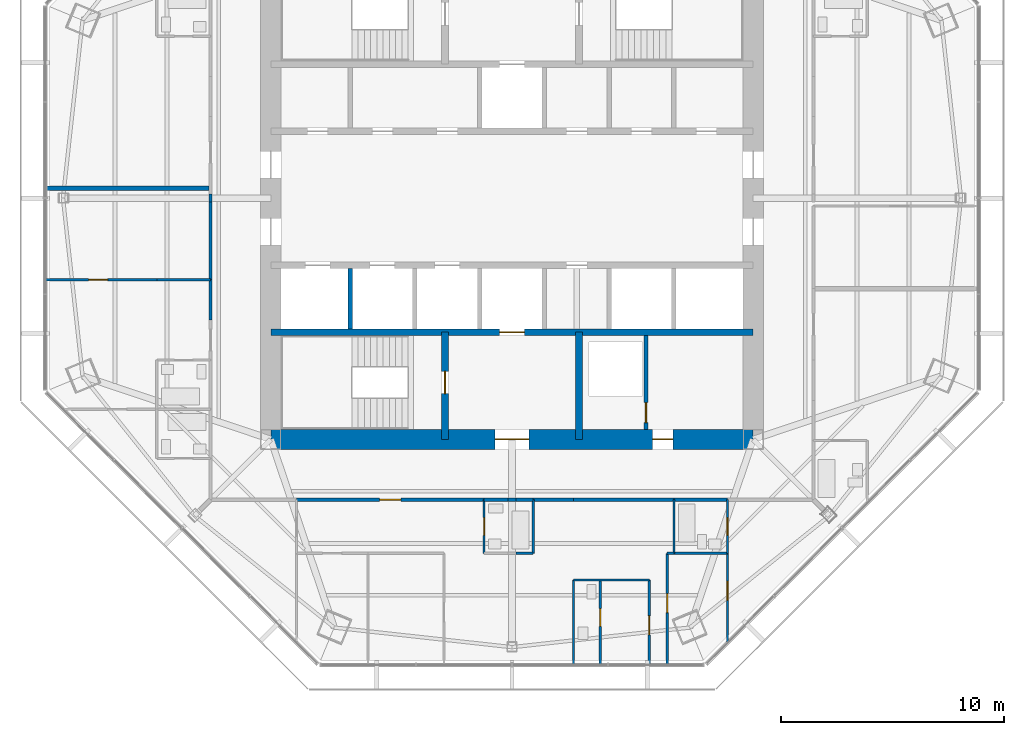
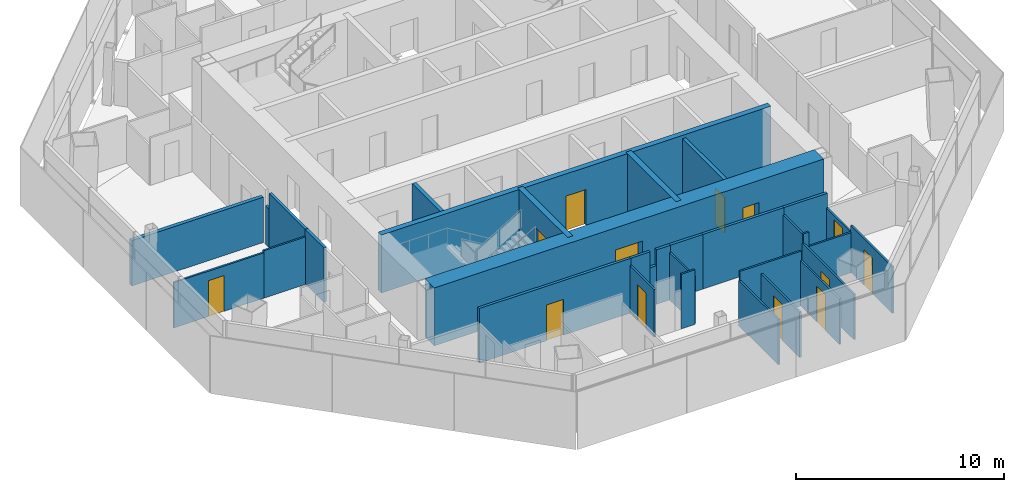
# One storey, part 9 of 14: 32 walls, 13 doors, 13 openings.
"""IFC4 building model written with IfcOpenShell, lengths in metres."""

from ifc_helpers import new_model, si_unit, direction, frame, frame_2d, origin, place, context, subcontext, project, spatial, rectangle, extrude, material, layer, layer_set, type_object, element, fill, save


model = new_model("IFC4")

# Units and contexts
model_context = context("Model", 3, precision=1e-05, world=origin(), true_north=direction((0.0, 1.0)))
body_context = subcontext(model_context, "Body", "Model", "MODEL_VIEW")
ifc_project = project(units=[si_unit("LENGTHUNIT", "METRE"), si_unit("AREAUNIT", "SQUARE_METRE"), si_unit("VOLUMEUNIT", "CUBIC_METRE"), si_unit("PLANEANGLEUNIT", "RADIAN"), si_unit("MASSUNIT", "GRAM", prefix="KILO")], contexts=[model_context])

# Site, building, storey
site_placement = place(None, origin())
site = spatial("IfcSite", under=ifc_project, at=site_placement, CompositionType="ELEMENT")
building_placement = place(site_placement, origin())
building = spatial("IfcBuilding", under=site, at=building_placement, Name="Mashrafa Tower", CompositionType="ELEMENT")
storey_placement = place(building_placement, frame((0.0, 0.0, 251.60009765625)))
storey = spatial("IfcBuildingStorey", under=building, at=storey_placement, Name="L60", CompositionType="ELEMENT", Elevation=251.60009765625)

# Wall
ifc_material_1 = material(Name="Gypsum board on steel studs", Category="steel")
ifc_layer_1 = layer(ifc_material_1, 0.199951171875)
ifc_layer_set_1 = layer_set([ifc_layer_1], Name="Acoustic partition 200 1 hr")
wall_type_1 = type_object("IfcWallType", Name="Acoustic partition 200 1 hr", PredefinedType="PARTITIONING", material=ifc_layer_set_1)
wall_1_placement = place(storey_placement, frame((-20.87939453125, 0.449951171875, 0.0), z_axis=(0.0, 0.0, 1.0), x_axis=(1.0, 0.0, 0.0)))
element("IfcWall", 1, at=wall_1_placement, inside=storey, type_object=wall_type_1, Name="Acoustic wall L60-081", PredefinedType="PARTITIONING", context=body_context, shape_type="SweptSolid", body=[
    extrude(rectangle(XDim=7.304443359375, YDim=0.199951171875, at=frame_2d((3.65234375, 0.0))), origin(), (0.0, 0.0, 1.0), 2.66162109375),
])

# Wall, opening, door
ifc_material_2 = material(Name="Concrete masonry unit", Category="masonry")
ifc_layer_2 = layer(ifc_material_2, 0.199951171875)
ifc_layer_set_2 = layer_set([ifc_layer_2], Name="Blockwork wall 200 2 hr")
wall_type_2 = type_object("IfcWallType", Name="Blockwork wall 200 2 hr", PredefinedType="PARTITIONING", material=ifc_layer_set_2)
wall_2_placement = place(storey_placement, frame((6.0, -10.35009765625, 0.0), z_axis=(0.0, 0.0, 1.0), x_axis=(0.0, 1.0, 0.0)))
wall_2 = element("IfcWall", 2, at=wall_2_placement, inside=storey, type_object=wall_type_2, Name="Riser enclosure wall L60", PredefinedType="PARTITIONING", context=body_context, shape_type="SweptSolid", body=[
    extrude(rectangle(XDim=4.2001953125, YDim=0.199951171875, at=frame_2d((2.10009765625, 0.0))), origin(), (0.0, 0.0, 1.0), 3.199951171875),
])
opening_1_placement = place(wall_2_placement, frame((0.300048828125, 0.0, 0.0)))
opening_1 = element("IfcOpeningElement", 3, at=opening_1_placement, cuts=wall_2, Name="Opening 60.046", PredefinedType="OPENING", context=body_context, shape_type="SweptSolid", body=[
    extrude(rectangle(XDim=0.89990234375, YDim=2.10009765625, at=frame_2d((0.449951171875, 1.050048828125))), frame((0.0, 0.10986328125, 0.0), z_axis=(0.0, -1.0, 0.0), x_axis=(1.0, 0.0, 0.0)), (0.0, 0.0, 1.0), 0.219970703125),
])
ifc_material_3 = material(Name="Steel door", Category="steel")
door_type_1 = type_object("IfcDoorType", Name="Service door 900 x 2100 90 min", OperationType="USERDEFINED", PredefinedType="DOOR", material=ifc_material_3)
door_1_placement = place(opening_1_placement, origin())
door_1 = element("IfcDoor", 4, at=door_1_placement, inside=storey, type_object=door_type_1, Name="Riser door L60", OperationType="SINGLE_SWING_LEFT", OverallHeight=2.10009765625, OverallWidth=0.89990234375, PredefinedType="DOOR", context=body_context, shape_type="SweptSolid", body=[
    extrude(rectangle(XDim=0.89990234375, YDim=2.10009765625, at=frame_2d((0.449951171875, 1.050048828125))), frame((0.0, 0.02490234375, 0.0), z_axis=(0.0, -1.0, 0.0), x_axis=(1.0, 0.0, 0.0)), (0.0, 0.0, 1.0), 0.050048828125),
])
fill(opening_1, door_1)

ifc_material_4 = material(Name="Concrete C50/60", Category="concrete")
ifc_layer_3 = layer(ifc_material_4, 0.300048828125)
ifc_layer_set_3 = layer_set([ifc_layer_3], Name="Core wall 300 C50/60")
wall_type_3 = type_object("IfcWallType", Name="Core wall 300 C50/60", PredefinedType="SOLIDWALL", material=ifc_layer_set_3)
wall_3_placement = place(storey_placement, frame((-10.800048828125, -6.0, 0.0), z_axis=(0.0, 0.0, 1.0), x_axis=(1.0, 0.0, 0.0)))
wall_3 = element("IfcWall", 5, at=wall_3_placement, inside=storey, type_object=wall_type_3, Name="Core wall CB-S L60", PredefinedType="SOLIDWALL", context=body_context, shape_type="SweptSolid", body=[
    extrude(rectangle(XDim=21.60009765625, YDim=0.300048828125, at=frame_2d((10.800048828125, 0.0))), origin(), (0.0, 0.0, 1.0), 3.39990234375),
])
opening_2_placement = place(wall_3_placement, frame((10.25, 0.0, 0.0)))
opening_2 = element("IfcOpeningElement", 6, at=opening_2_placement, cuts=wall_3, Name="Opening 60.F2", PredefinedType="OPENING", context=body_context, shape_type="SweptSolid", body=[
    extrude(rectangle(XDim=1.10009765625, YDim=2.10009765625, at=frame_2d((0.550048828125, 1.050048828125))), frame((0.0, 0.159912109375, 0.0), z_axis=(0.0, -1.0, 0.0), x_axis=(1.0, 0.0, 0.0)), (0.0, 0.0, 1.0), 0.320068359375),
])
ifc_material_5 = material(Name="Steel door", Category="steel")
door_type_2 = type_object("IfcDoorType", Name="Lift landing door 1100 x 2100 90 min", OperationType="DOUBLE_DOOR_SLIDING", PredefinedType="DOOR", material=ifc_material_5)
door_2_placement = place(opening_2_placement, origin())
door_2 = element("IfcDoor", 7, at=door_2_placement, inside=storey, type_object=door_type_2, Name="Lift landing door F2 L60", OperationType="DOUBLE_DOOR_SLIDING", OverallHeight=2.10009765625, OverallWidth=1.10009765625, PredefinedType="DOOR", context=body_context, shape_type="SweptSolid", body=[
    extrude(rectangle(XDim=1.10009765625, YDim=2.10009765625, at=frame_2d((0.550048828125, 1.050048828125))), frame((0.0, 0.02490234375, 0.0), z_axis=(0.0, -1.0, 0.0), x_axis=(1.0, 0.0, 0.0)), (0.0, 0.0, 1.0), 0.050048828125),
])
fill(opening_2, door_2)

wall_4_placement = place(storey_placement, frame((-3.0, -6.0, 0.0), z_axis=(0.0, 0.0, 1.0), x_axis=(0.0, -1.0, 0.0)))
wall_4 = element("IfcWall", 8, at=wall_4_placement, inside=storey, type_object=wall_type_3, Name="Core wall CX-SW L60", PredefinedType="SOLIDWALL", context=body_context, shape_type="SweptSolid", body=[
    extrude(rectangle(XDim=4.800048828125, YDim=0.300048828125, at=frame_2d((2.39990234375, 0.0))), origin(), (0.0, 0.0, 1.0), 3.39990234375),
])
opening_3_placement = place(wall_4_placement, frame((1.75, 0.0, 0.0)))
opening_3 = element("IfcOpeningElement", 9, at=opening_3_placement, cuts=wall_4, Name="Opening 60.044", PredefinedType="OPENING", context=body_context, shape_type="SweptSolid", body=[
    extrude(rectangle(XDim=1.0, YDim=2.10009765625, at=frame_2d((0.5, 1.050048828125))), frame((0.0, 0.159912109375, 0.0), z_axis=(0.0, -1.0, 0.0), x_axis=(1.0, 0.0, 0.0)), (0.0, 0.0, 1.0), 0.320068359375),
])
ifc_material_6 = material(Name="Steel door", Category="steel")
door_type_3 = type_object("IfcDoorType", Name="Stair door 1000 x 2100 90 min", OperationType="USERDEFINED", PredefinedType="DOOR", material=ifc_material_6)
door_3_placement = place(opening_3_placement, frame((1.0, 0.0, 0.0), z_axis=(0.0, 0.0, 1.0), x_axis=(-1.0, 0.0, 0.0)))
door_3 = element("IfcDoor", 10, at=door_3_placement, inside=storey, type_object=door_type_3, Name="Stair S3 door L60", OperationType="SINGLE_SWING_RIGHT", OverallHeight=2.10009765625, OverallWidth=1.0, PredefinedType="DOOR", context=body_context, shape_type="SweptSolid", body=[
    extrude(rectangle(XDim=1.0, YDim=2.10009765625, at=frame_2d((0.5, 1.050048828125))), frame((0.0, 0.02490234375, 0.0), z_axis=(0.0, -1.0, 0.0), x_axis=(1.0, 0.0, 0.0)), (0.0, 0.0, 1.0), 0.050048828125),
])
fill(opening_3, door_3)

# Wall
wall_5_placement = place(storey_placement, frame((3.0, -6.0, 0.0), z_axis=(0.0, 0.0, 1.0), x_axis=(0.0, -1.0, 0.0)))
element("IfcWall", 11, at=wall_5_placement, inside=storey, type_object=wall_type_3, Name="Core wall CX-SE L60", PredefinedType="SOLIDWALL", context=body_context, shape_type="SweptSolid", body=[
    extrude(rectangle(XDim=4.800048828125, YDim=0.300048828125, at=frame_2d((2.39990234375, 0.0))), origin(), (0.0, 0.0, 1.0), 3.39990234375),
])

# Wall, openings, doors
ifc_material_7 = material(Name="Concrete C50/60", Category="concrete")
ifc_layer_4 = layer(ifc_material_7, 0.89990234375)
ifc_layer_set_4 = layer_set([ifc_layer_4], Name="Core wall 900 C50/60")
wall_type_4 = type_object("IfcWallType", Name="Core wall 900 C50/60", PredefinedType="SOLIDWALL", material=ifc_layer_set_4)
wall_6_placement = place(storey_placement, frame((-10.800048828125, -10.800048828125, 0.0), z_axis=(0.0, 0.0, 1.0), x_axis=(1.0, 0.0, 0.0)))
wall_6 = element("IfcWall", 12, at=wall_6_placement, inside=storey, type_object=wall_type_4, Name="Core wall CW-S L60", PredefinedType="SOLIDWALL", context=body_context, shape_type="SweptSolid", body=[
    extrude(rectangle(XDim=21.60009765625, YDim=0.89990234375, at=frame_2d((10.800048828125, 0.0))), origin(), (0.0, 0.0, 1.0), 3.39990234375),
])
opening_4_placement = place(wall_6_placement, frame((10.050048828125, 0.0, 0.0)))
opening_4 = element("IfcOpeningElement", 13, at=opening_4_placement, cuts=wall_6, Name="Opening 60.041", PredefinedType="OPENING", context=body_context, shape_type="SweptSolid", body=[
    extrude(rectangle(XDim=1.5, YDim=2.10009765625, at=frame_2d((0.75, 1.050048828125))), frame((0.0, 0.4599609375, 0.0), z_axis=(0.0, -1.0, 0.0), x_axis=(1.0, 0.0, 0.0)), (0.0, 0.0, 1.0), 0.919921875),
])
opening_5_placement = place(wall_6_placement, frame((17.10009765625, 0.0, 0.0)))
opening_5 = element("IfcOpeningElement", 14, at=opening_5_placement, cuts=wall_6, Name="Opening 60.045", PredefinedType="OPENING", context=body_context, shape_type="SweptSolid", body=[
    extrude(rectangle(XDim=0.89990234375, YDim=2.10009765625, at=frame_2d((0.449951171875, 1.050048828125))), frame((0.0, 0.4599609375, 0.0), z_axis=(0.0, -1.0, 0.0), x_axis=(1.0, 0.0, 0.0)), (0.0, 0.0, 1.0), 0.919921875),
])
ifc_material_8 = material(Name="Steel door", Category="steel")
door_type_4 = type_object("IfcDoorType", Name="Lobby door pair 1500 x 2100 90 min", OperationType="DOUBLE_DOOR_SINGLE_SWING", PredefinedType="DOOR", material=ifc_material_8)
door_4_placement = place(opening_4_placement, origin())
door_4 = element("IfcDoor", 15, at=door_4_placement, inside=storey, type_object=door_type_4, Name="Fire-fighting lobby F2 door L60", OperationType="DOUBLE_DOOR_SINGLE_SWING", OverallHeight=2.10009765625, OverallWidth=1.5, PredefinedType="DOOR", context=body_context, shape_type="SweptSolid", body=[
    extrude(rectangle(XDim=1.5, YDim=2.10009765625, at=frame_2d((0.75, 1.050048828125))), frame((0.0, 0.02490234375, 0.0), z_axis=(0.0, -1.0, 0.0), x_axis=(1.0, 0.0, 0.0)), (0.0, 0.0, 1.0), 0.050048828125),
])
fill(opening_4, door_4)
door_5_placement = place(opening_5_placement, origin())
door_5 = element("IfcDoor", 16, at=door_5_placement, inside=storey, type_object=door_type_1, Name="Electrical Room L60 door", OperationType="SINGLE_SWING_LEFT", OverallHeight=2.10009765625, OverallWidth=0.89990234375, PredefinedType="DOOR", context=body_context, shape_type="SweptSolid", body=[
    extrude(rectangle(XDim=0.89990234375, YDim=2.10009765625, at=frame_2d((0.449951171875, 1.050048828125))), frame((0.0, 0.02490234375, 0.0), z_axis=(0.0, -1.0, 0.0), x_axis=(1.0, 0.0, 0.0)), (0.0, 0.0, 1.0), 0.050048828125),
])
fill(opening_5, door_5)

# Walls
ifc_material_9 = material(Name="Gypsum board on steel studs", Category="steel")
ifc_layer_5 = layer(ifc_material_9, 0.14990234375)
ifc_layer_set_5 = layer_set([ifc_layer_5], Name="Corridor partition 150 1 hr")
wall_type_5 = type_object("IfcWallType", Name="Corridor partition 150 1 hr", PredefinedType="PARTITIONING", material=ifc_layer_set_5)
wall_7_placement = place(storey_placement, frame((-13.5, -3.64892578125, 0.0), z_axis=(0.0, 0.0, 1.0), x_axis=(0.0, -1.0, 0.0)))
element("IfcWall", 17, at=wall_7_placement, inside=storey, type_object=wall_type_5, Name="Corridor wall L60-033", PredefinedType="PARTITIONING", context=body_context, shape_type="SweptSolid", body=[
    extrude(rectangle(XDim=1.802001953125, YDim=0.14990234375, at=frame_2d((0.90087890625, 0.0))), origin(), (0.0, 0.0, 1.0), 3.199951171875),
])
wall_8_placement = place(storey_placement, frame((-13.5, -0.182373046875, 0.0), z_axis=(0.0, 0.0, 1.0), x_axis=(0.0, -1.0, 0.0)))
element("IfcWall", 18, at=wall_8_placement, inside=storey, type_object=wall_type_5, Name="Corridor wall L60-035", PredefinedType="PARTITIONING", context=body_context, shape_type="SweptSolid", body=[
    extrude(rectangle(XDim=3.468505859375, YDim=0.14990234375, at=frame_2d((1.734375, 0.0))), origin(), (0.0, 0.0, 1.0), 3.199951171875),
])
wall_9_placement = place(storey_placement, frame((-13.5, 0.182373046875, 0.0), z_axis=(0.0, 0.0, 1.0), x_axis=(0.0, -1.0, 0.0)))
element("IfcWall", 19, at=wall_9_placement, inside=storey, type_object=wall_type_5, Name="Corridor wall L60-036", PredefinedType="PARTITIONING", context=body_context, shape_type="SweptSolid", body=[
    extrude(rectangle(XDim=0.36474609375, YDim=0.14990234375, at=frame_2d((0.182373046875, 0.0))), origin(), (0.0, 0.0, 1.0), 2.26806640625),
])
wall_10_placement = place(storey_placement, frame((-1.2509765625, -13.5, 0.0), z_axis=(0.0, 0.0, 1.0), x_axis=(1.0, 0.0, 0.0)))
element("IfcWall", 20, at=wall_10_placement, inside=storey, type_object=wall_type_5, Name="Corridor wall L60-039", PredefinedType="PARTITIONING", context=body_context, shape_type="SweptSolid", body=[
    extrude(rectangle(XDim=1.068603515625, YDim=0.14990234375, at=frame_2d((0.5341796875, 0.0))), origin(), (0.0, 0.0, 1.0), 3.199951171875),
])
wall_11_placement = place(storey_placement, frame((0.182373046875, -13.5, 0.0), z_axis=(0.0, 0.0, 1.0), x_axis=(1.0, 0.0, 0.0)))
element("IfcWall", 21, at=wall_11_placement, inside=storey, type_object=wall_type_5, Name="Corridor wall L60-040", PredefinedType="PARTITIONING", context=body_context, shape_type="SweptSolid", body=[
    extrude(rectangle(XDim=0.7685546875, YDim=0.14990234375, at=frame_2d((0.38427734375, 0.0))), origin(), (0.0, 0.0, 1.0), 3.199951171875),
])
wall_12_placement = place(storey_placement, frame((-0.182373046875, -13.5, 0.0), z_axis=(0.0, 0.0, 1.0), x_axis=(1.0, 0.0, 0.0)))
element("IfcWall", 22, at=wall_12_placement, inside=storey, type_object=wall_type_5, Name="Corridor wall L60-041", PredefinedType="PARTITIONING", context=body_context, shape_type="SweptSolid", body=[
    extrude(rectangle(XDim=0.36474609375, YDim=0.14990234375, at=frame_2d((0.182373046875, 0.0))), origin(), (0.0, 0.0, 1.0), 2.26806640625),
])
wall_13_placement = place(storey_placement, frame((0.948974609375, -13.5, 0.0), z_axis=(0.0, 0.0, 1.0), x_axis=(1.0, 0.0, 0.0)))
element("IfcWall", 23, at=wall_13_placement, inside=storey, type_object=wall_type_5, Name="Corridor wall L60-042", PredefinedType="PARTITIONING", context=body_context, shape_type="SweptSolid", body=[
    extrude(rectangle(XDim=1.802001953125, YDim=0.14990234375, at=frame_2d((0.90087890625, 0.0))), origin(), (0.0, 0.0, 1.0), 3.199951171875),
])
wall_14_placement = place(storey_placement, frame((7.2490234375, -13.5, 0.0), z_axis=(0.0, 0.0, 1.0), x_axis=(1.0, 0.0, 0.0)))
element("IfcWall", 24, at=wall_14_placement, inside=storey, type_object=wall_type_5, Name="Corridor wall L60-043", PredefinedType="PARTITIONING", context=body_context, shape_type="SweptSolid", body=[
    extrude(rectangle(XDim=2.40185546875, YDim=0.14990234375, at=frame_2d((1.200927734375, 0.0))), origin(), (0.0, 0.0, 1.0), 3.199951171875),
])

# Wall, opening, door
wall_15_placement = place(storey_placement, frame((-9.65087890625, -13.5, 0.0), z_axis=(0.0, 0.0, 1.0), x_axis=(1.0, 0.0, 0.0)))
wall_15 = element("IfcWall", 25, at=wall_15_placement, inside=storey, type_object=wall_type_5, Name="Corridor wall L60-045", PredefinedType="PARTITIONING", context=body_context, shape_type="SweptSolid", body=[
    extrude(rectangle(XDim=8.40185546875, YDim=0.14990234375, at=frame_2d((4.200927734375, 0.0))), origin(), (0.0, 0.0, 1.0), 3.199951171875),
])
opening_6_placement = place(wall_15_placement, frame((3.72607421875, 0.0, 0.0)))
opening_6 = element("IfcOpeningElement", 26, at=opening_6_placement, cuts=wall_15, Name="Opening 60.034", PredefinedType="OPENING", context=body_context, shape_type="SweptSolid", body=[
    extrude(rectangle(XDim=0.949951171875, YDim=2.10009765625, at=frame_2d((0.47509765625, 1.050048828125))), frame((0.0, 0.0849609375, 0.0), z_axis=(0.0, -1.0, 0.0), x_axis=(1.0, 0.0, 0.0)), (0.0, 0.0, 1.0), 0.169921875),
])
ifc_material_10 = material(Name="Steel door", Category="steel")
door_type_5 = type_object("IfcDoorType", Name="Residence entrance door 950 x 2100 20 min", OperationType="USERDEFINED", PredefinedType="DOOR", material=ifc_material_10)
door_6_placement = place(opening_6_placement, frame((0.949951171875, 0.0, 0.0), z_axis=(0.0, 0.0, 1.0), x_axis=(-1.0, 0.0, 0.0)))
door_6 = element("IfcDoor", 27, at=door_6_placement, inside=storey, type_object=door_type_5, Name="Apartment 6007 Living Room door", OperationType="SINGLE_SWING_RIGHT", OverallHeight=2.10009765625, OverallWidth=0.949951171875, PredefinedType="DOOR", context=body_context, shape_type="SweptSolid", body=[
    extrude(rectangle(XDim=0.949951171875, YDim=2.10009765625, at=frame_2d((0.47509765625, 1.050048828125))), frame((0.0, 0.02490234375, 0.0), z_axis=(0.0, -1.0, 0.0), x_axis=(1.0, 0.0, 0.0)), (0.0, 0.0, 1.0), 0.050048828125),
])
fill(opening_6, door_6)

# Walls
wall_16_placement = place(storey_placement, frame((2.7490234375, -13.5, 0.0), z_axis=(0.0, 0.0, 1.0), x_axis=(1.0, 0.0, 0.0)))
element("IfcWall", 28, at=wall_16_placement, inside=storey, type_object=wall_type_5, Name="Corridor wall L60-046", PredefinedType="PARTITIONING", context=body_context, shape_type="SweptSolid", body=[
    extrude(rectangle(XDim=4.501953125, YDim=0.14990234375, at=frame_2d((2.2509765625, 0.0))), origin(), (0.0, 0.0, 1.0), 3.199951171875),
])
ifc_material_11 = material(Name="Gypsum board on steel studs", Category="steel")
ifc_layer_6 = layer(ifc_material_11, 0.10009765625)
ifc_layer_set_6 = layer_set([ifc_layer_6], Name="Partition 100")
wall_type_6 = type_object("IfcWallType", Name="Partition 100", PredefinedType="PARTITIONING", material=ifc_layer_set_6)
wall_17_placement = place(storey_placement, frame((-13.5, -3.64990234375, 0.0), z_axis=(0.0, 0.0, 1.0), x_axis=(-1.0, 0.0, 0.0)))
element("IfcWall", 29, at=wall_17_placement, inside=storey, type_object=wall_type_6, Name="Partition wall L60-089", PredefinedType="PARTITIONING", context=body_context, shape_type="SweptSolid", body=[
    extrude(rectangle(XDim=2.39990234375, YDim=0.10009765625, at=frame_2d((1.199951171875, 0.0))), origin(), (0.0, 0.0, 1.0), 2.783447265625),
])

# Wall, opening, door
wall_18_placement = place(storey_placement, frame((-20.88134765625, -3.64990234375, 0.0), z_axis=(0.0, 0.0, 1.0), x_axis=(1.0, 0.0, 0.0)))
wall_18 = element("IfcWall", 30, at=wall_18_placement, inside=storey, type_object=wall_type_6, Name="Partition wall L60-090", PredefinedType="PARTITIONING", context=body_context, shape_type="SweptSolid", body=[
    extrude(rectangle(XDim=4.982421875, YDim=0.10009765625, at=frame_2d((2.4912109375, 0.0))), origin(), (0.0, 0.0, 1.0), 2.66162109375),
])
opening_7_placement = place(wall_18_placement, frame((1.92822265625, 0.0, 0.0)))
opening_7 = element("IfcOpeningElement", 31, at=opening_7_placement, cuts=wall_18, Name="Opening 60.024", PredefinedType="OPENING", context=body_context, shape_type="SweptSolid", body=[
    extrude(rectangle(XDim=0.85009765625, YDim=2.10009765625, at=frame_2d((0.425048828125, 1.050048828125))), frame((0.0, 0.06005859375, 0.0), z_axis=(0.0, -1.0, 0.0), x_axis=(1.0, 0.0, 0.0)), (0.0, 0.0, 1.0), 0.1201171875),
])
ifc_material_12 = material(Name="Timber door", Category="wood")
door_type_6 = type_object("IfcDoorType", Name="Bedroom door 850 x 2100", OperationType="USERDEFINED", PredefinedType="DOOR", material=ifc_material_12)
door_7_placement = place(opening_7_placement, origin())
door_7 = element("IfcDoor", 32, at=door_7_placement, inside=storey, type_object=door_type_6, Name="Apartment 6006 Bedroom 2 door", OperationType="SINGLE_SWING_LEFT", OverallHeight=2.10009765625, OverallWidth=0.85009765625, PredefinedType="DOOR", context=body_context, shape_type="SweptSolid", body=[
    extrude(rectangle(XDim=0.85009765625, YDim=2.10009765625, at=frame_2d((0.425048828125, 1.050048828125))), frame((0.0, 0.02490234375, 0.0), z_axis=(0.0, -1.0, 0.0), x_axis=(1.0, 0.0, 0.0)), (0.0, 0.0, 1.0), 0.050048828125),
])
fill(opening_7, door_7)

# Wall
wall_19_placement = place(storey_placement, frame((0.949951171875, -15.89990234375, 0.0), z_axis=(0.0, 0.0, 1.0), x_axis=(0.0, 1.0, 0.0)))
element("IfcWall", 33, at=wall_19_placement, inside=storey, type_object=wall_type_6, Name="Partition wall L60-097", PredefinedType="PARTITIONING", context=body_context, shape_type="SweptSolid", body=[
    extrude(rectangle(XDim=2.39990234375, YDim=0.10009765625, at=frame_2d((1.199951171875, 0.0))), origin(), (0.0, 0.0, 1.0), 2.783447265625),
])

# Wall, opening, door
wall_20_placement = place(storey_placement, frame((-1.25, -13.5, 0.0), z_axis=(0.0, 0.0, 1.0), x_axis=(0.0, -1.0, 0.0)))
wall_20 = element("IfcWall", 34, at=wall_20_placement, inside=storey, type_object=wall_type_6, Name="Partition wall L60-098", PredefinedType="PARTITIONING", context=body_context, shape_type="SweptSolid", body=[
    extrude(rectangle(XDim=2.39990234375, YDim=0.10009765625, at=frame_2d((1.199951171875, 0.0))), origin(), (0.0, 0.0, 1.0), 2.783447265625),
])
opening_8_placement = place(wall_20_placement, frame((0.800048828125, 0.0, 0.0)))
opening_8 = element("IfcOpeningElement", 35, at=opening_8_placement, cuts=wall_20, Name="Opening 60.029", PredefinedType="OPENING", context=body_context, shape_type="SweptSolid", body=[
    extrude(rectangle(XDim=0.800048828125, YDim=2.10009765625, at=frame_2d((0.39990234375, 1.050048828125))), frame((0.0, 0.06005859375, 0.0), z_axis=(0.0, -1.0, 0.0), x_axis=(1.0, 0.0, 0.0)), (0.0, 0.0, 1.0), 0.1201171875),
])
ifc_material_13 = material(Name="Timber door", Category="wood")
door_type_7 = type_object("IfcDoorType", Name="Bathroom door 800 x 2100", OperationType="USERDEFINED", PredefinedType="DOOR", material=ifc_material_13)
door_8_placement = place(opening_8_placement, origin())
door_8 = element("IfcDoor", 36, at=door_8_placement, inside=storey, type_object=door_type_7, Name="Apartment 6007 Bathroom door", OperationType="SINGLE_SWING_RIGHT", OverallHeight=2.10009765625, OverallWidth=0.800048828125, PredefinedType="DOOR", context=body_context, shape_type="SweptSolid", body=[
    extrude(rectangle(XDim=0.800048828125, YDim=2.10009765625, at=frame_2d((0.39990234375, 1.050048828125))), frame((0.0, 0.02490234375, 0.0), z_axis=(0.0, -1.0, 0.0), x_axis=(1.0, 0.0, 0.0)), (0.0, 0.0, 1.0), 0.050048828125),
])
fill(opening_8, door_8)

# Wall
wall_21_placement = place(storey_placement, frame((0.182373046875, -15.89990234375, 0.0), z_axis=(0.0, 0.0, 1.0), x_axis=(1.0, 0.0, 0.0)))
element("IfcWall", 37, at=wall_21_placement, inside=storey, type_object=wall_type_6, Name="Partition wall L60-100", PredefinedType="PARTITIONING", context=body_context, shape_type="SweptSolid", body=[
    extrude(rectangle(XDim=0.767578125, YDim=0.10009765625, at=frame_2d((0.3837890625, 0.0))), origin(), (0.0, 0.0, 1.0), 3.199951171875),
])

# Wall, opening, door
wall_22_placement = place(storey_placement, frame((3.949951171875, -17.10009765625, 0.0), z_axis=(0.0, 0.0, 1.0), x_axis=(0.0, -1.0, 0.0)))
wall_22 = element("IfcWall", 38, at=wall_22_placement, inside=storey, type_object=wall_type_6, Name="Partition wall L60-102", PredefinedType="PARTITIONING", context=body_context, shape_type="SweptSolid", body=[
    extrude(rectangle(XDim=3.78125, YDim=0.10009765625, at=frame_2d((1.890625, 0.0))), origin(), (0.0, 0.0, 1.0), 2.66162109375),
])
opening_9_placement = place(wall_22_placement, frame((1.273681640625, 0.0, 0.0)))
opening_9 = element("IfcOpeningElement", 39, at=opening_9_placement, cuts=wall_22, Name="Opening 60.031", PredefinedType="OPENING", context=body_context, shape_type="SweptSolid", body=[
    extrude(rectangle(XDim=0.800048828125, YDim=2.10009765625, at=frame_2d((0.39990234375, 1.050048828125))), frame((0.0, 0.06005859375, 0.0), z_axis=(0.0, -1.0, 0.0), x_axis=(1.0, 0.0, 0.0)), (0.0, 0.0, 1.0), 0.1201171875),
])
door_9_placement = place(opening_9_placement, frame((0.800048828125, 0.0, 0.0), z_axis=(0.0, 0.0, 1.0), x_axis=(-1.0, 0.0, 0.0)))
door_9 = element("IfcDoor", 40, at=door_9_placement, inside=storey, type_object=door_type_7, Name="Apartment 6007 Maid's WC door", OperationType="SINGLE_SWING_LEFT", OverallHeight=2.10009765625, OverallWidth=0.800048828125, PredefinedType="DOOR", context=body_context, shape_type="SweptSolid", body=[
    extrude(rectangle(XDim=0.800048828125, YDim=2.10009765625, at=frame_2d((0.39990234375, 1.050048828125))), frame((0.0, 0.02490234375, 0.0), z_axis=(0.0, -1.0, 0.0), x_axis=(1.0, 0.0, 0.0)), (0.0, 0.0, 1.0), 0.050048828125),
])
fill(opening_9, door_9)

wall_23_placement = place(storey_placement, frame((6.14990234375, -20.88134765625, 0.0), z_axis=(0.0, 0.0, 1.0), x_axis=(0.0, 1.0, 0.0)))
wall_23 = element("IfcWall", 41, at=wall_23_placement, inside=storey, type_object=wall_type_6, Name="Partition wall L60-103", PredefinedType="PARTITIONING", context=body_context, shape_type="SweptSolid", body=[
    extrude(rectangle(XDim=3.78125, YDim=0.10009765625, at=frame_2d((1.890625, 0.0))), origin(), (0.0, 0.0, 1.0), 2.66162109375),
])
opening_10_placement = place(wall_23_placement, frame((1.32763671875, 0.0, 0.0)))
opening_10 = element("IfcOpeningElement", 42, at=opening_10_placement, cuts=wall_23, Name="Opening 60.030", PredefinedType="OPENING", context=body_context, shape_type="SweptSolid", body=[
    extrude(rectangle(XDim=0.85009765625, YDim=2.10009765625, at=frame_2d((0.425048828125, 1.050048828125))), frame((0.0, 0.06005859375, 0.0), z_axis=(0.0, -1.0, 0.0), x_axis=(1.0, 0.0, 0.0)), (0.0, 0.0, 1.0), 0.1201171875),
])
door_10_placement = place(opening_10_placement, origin())
door_10 = element("IfcDoor", 43, at=door_10_placement, inside=storey, type_object=door_type_6, Name="Apartment 6007 Maid's Room door", OperationType="SINGLE_SWING_LEFT", OverallHeight=2.10009765625, OverallWidth=0.85009765625, PredefinedType="DOOR", context=body_context, shape_type="SweptSolid", body=[
    extrude(rectangle(XDim=0.85009765625, YDim=2.10009765625, at=frame_2d((0.425048828125, 1.050048828125))), frame((0.0, 0.02490234375, 0.0), z_axis=(0.0, -1.0, 0.0), x_axis=(1.0, 0.0, 0.0)), (0.0, 0.0, 1.0), 0.050048828125),
])
fill(opening_10, door_10)

# Walls
wall_24_placement = place(storey_placement, frame((6.14990234375, -17.10009765625, 0.0), z_axis=(0.0, 0.0, 1.0), x_axis=(-1.0, 0.0, 0.0)))
element("IfcWall", 44, at=wall_24_placement, inside=storey, type_object=wall_type_6, Name="Partition wall L60-104", PredefinedType="PARTITIONING", context=body_context, shape_type="SweptSolid", body=[
    extrude(rectangle(XDim=3.39990234375, YDim=0.10009765625, at=frame_2d((1.699951171875, 0.0))), origin(), (0.0, 0.0, 1.0), 3.199951171875),
])
wall_25_placement = place(storey_placement, frame((2.75, -17.10009765625, 0.0), z_axis=(0.0, 0.0, 1.0), x_axis=(0.0, -1.0, 0.0)))
element("IfcWall", 45, at=wall_25_placement, inside=storey, type_object=wall_type_6, Name="Partition wall L60-106", PredefinedType="PARTITIONING", context=body_context, shape_type="SweptSolid", body=[
    extrude(rectangle(XDim=3.779296875, YDim=0.10009765625, at=frame_2d((1.8896484375, 0.0))), origin(), (0.0, 0.0, 1.0), 2.66162109375),
])

# Wall, opening, door
wall_26_placement = place(storey_placement, frame((9.64990234375, -15.89990234375, 0.0), z_axis=(0.0, 0.0, 1.0), x_axis=(0.0, 1.0, 0.0)))
wall_26 = element("IfcWall", 46, at=wall_26_placement, inside=storey, type_object=wall_type_6, Name="Partition wall L60-107", PredefinedType="PARTITIONING", context=body_context, shape_type="SweptSolid", body=[
    extrude(rectangle(XDim=2.39990234375, YDim=0.10009765625, at=frame_2d((1.199951171875, 0.0))), origin(), (0.0, 0.0, 1.0), 2.34912109375),
])
opening_11_placement = place(wall_26_placement, frame((0.800048828125, 0.0, 0.0)))
opening_11 = element("IfcOpeningElement", 47, at=opening_11_placement, cuts=wall_26, Name="Opening 60.032", PredefinedType="OPENING", context=body_context, shape_type="SweptSolid", body=[
    extrude(rectangle(XDim=0.800048828125, YDim=2.10009765625, at=frame_2d((0.39990234375, 1.050048828125))), frame((0.0, 0.06005859375, 0.0), z_axis=(0.0, -1.0, 0.0), x_axis=(1.0, 0.0, 0.0)), (0.0, 0.0, 1.0), 0.1201171875),
])
door_11_placement = place(opening_11_placement, origin())
door_11 = element("IfcDoor", 48, at=door_11_placement, inside=storey, type_object=door_type_7, Name="Apartment 6007 En-suite Bathroom door", OperationType="SINGLE_SWING_RIGHT", OverallHeight=2.10009765625, OverallWidth=0.800048828125, PredefinedType="DOOR", context=body_context, shape_type="SweptSolid", body=[
    extrude(rectangle(XDim=0.800048828125, YDim=2.10009765625, at=frame_2d((0.39990234375, 1.050048828125))), frame((0.0, 0.02490234375, 0.0), z_axis=(0.0, -1.0, 0.0), x_axis=(1.0, 0.0, 0.0)), (0.0, 0.0, 1.0), 0.050048828125),
])
fill(opening_11, door_11)

# Walls
wall_27_placement = place(storey_placement, frame((7.25, -13.5, 0.0), z_axis=(0.0, 0.0, 1.0), x_axis=(0.0, -1.0, 0.0)))
element("IfcWall", 49, at=wall_27_placement, inside=storey, type_object=wall_type_6, Name="Partition wall L60-108", PredefinedType="PARTITIONING", context=body_context, shape_type="SweptSolid", body=[
    extrude(rectangle(XDim=2.39990234375, YDim=0.10009765625, at=frame_2d((1.199951171875, 0.0))), origin(), (0.0, 0.0, 1.0), 2.783447265625),
])
wall_28_placement = place(storey_placement, frame((7.25, -15.89990234375, 0.0), z_axis=(0.0, 0.0, 1.0), x_axis=(1.0, 0.0, 0.0)))
element("IfcWall", 50, at=wall_28_placement, inside=storey, type_object=wall_type_6, Name="Partition wall L60-109", PredefinedType="PARTITIONING", context=body_context, shape_type="SweptSolid", body=[
    extrude(rectangle(XDim=2.39990234375, YDim=0.10009765625, at=frame_2d((1.199951171875, 0.0))), origin(), (0.0, 0.0, 1.0), 2.34912109375),
])

# Wall, opening, door
wall_29_placement = place(storey_placement, frame((9.64990234375, -15.89892578125, 0.0), z_axis=(0.0, 0.0, 1.0), x_axis=(0.0, -1.0, 0.0)))
wall_29 = element("IfcWall", 51, at=wall_29_placement, inside=storey, type_object=wall_type_6, Name="Partition wall L60-110", PredefinedType="PARTITIONING", context=body_context, shape_type="SweptSolid", body=[
    extrude(rectangle(XDim=3.982666015625, YDim=0.10009765625, at=frame_2d((1.9912109375, 0.0))), origin(), (0.0, 0.0, 1.0), 2.740234375),
])
opening_12_placement = place(wall_29_placement, frame((1.2587890625, 0.0, 0.0)))
opening_12 = element("IfcOpeningElement", 52, at=opening_12_placement, cuts=wall_29, Name="Opening 60.033", PredefinedType="OPENING", context=body_context, shape_type="SweptSolid", body=[
    extrude(rectangle(XDim=0.85009765625, YDim=2.10009765625, at=frame_2d((0.425048828125, 1.050048828125))), frame((0.0, 0.06005859375, 0.0), z_axis=(0.0, -1.0, 0.0), x_axis=(1.0, 0.0, 0.0)), (0.0, 0.0, 1.0), 0.1201171875),
])
door_12_placement = place(opening_12_placement, origin())
door_12 = element("IfcDoor", 53, at=door_12_placement, inside=storey, type_object=door_type_6, Name="Apartment 6007 Bedroom 3 door", OperationType="SINGLE_SWING_RIGHT", OverallHeight=2.10009765625, OverallWidth=0.85009765625, PredefinedType="DOOR", context=body_context, shape_type="SweptSolid", body=[
    extrude(rectangle(XDim=0.85009765625, YDim=2.10009765625, at=frame_2d((0.425048828125, 1.050048828125))), frame((0.0, 0.02490234375, 0.0), z_axis=(0.0, -1.0, 0.0), x_axis=(1.0, 0.0, 0.0)), (0.0, 0.0, 1.0), 0.050048828125),
])
fill(opening_12, door_12)

wall_30_placement = place(storey_placement, frame((6.949951171875, -20.88134765625, 0.0), z_axis=(0.0, 0.0, 1.0), x_axis=(0.0, 1.0, 0.0)))
wall_30 = element("IfcWall", 54, at=wall_30_placement, inside=storey, type_object=wall_type_6, Name="Partition wall L60-111", PredefinedType="PARTITIONING", context=body_context, shape_type="SweptSolid", body=[
    extrude(rectangle(XDim=4.9814453125, YDim=0.10009765625, at=frame_2d((2.49072265625, 0.0))), origin(), (0.0, 0.0, 1.0), 2.66162109375),
])
opening_13_placement = place(wall_30_placement, frame((2.327880859375, 0.0, 0.0)))
opening_13 = element("IfcOpeningElement", 55, at=opening_13_placement, cuts=wall_30, Name="Opening 60.035", PredefinedType="OPENING", context=body_context, shape_type="SweptSolid", body=[
    extrude(rectangle(XDim=0.85009765625, YDim=2.10009765625, at=frame_2d((0.425048828125, 1.050048828125))), frame((0.0, 0.06005859375, 0.0), z_axis=(0.0, -1.0, 0.0), x_axis=(1.0, 0.0, 0.0)), (0.0, 0.0, 1.0), 0.1201171875),
])
door_13_placement = place(opening_13_placement, frame((0.85009765625, 0.0, 0.0), z_axis=(0.0, 0.0, 1.0), x_axis=(-1.0, 0.0, 0.0)))
door_13 = element("IfcDoor", 56, at=door_13_placement, inside=storey, type_object=door_type_6, Name="Apartment 6007 Dining Room door", OperationType="SINGLE_SWING_LEFT", OverallHeight=2.10009765625, OverallWidth=0.85009765625, PredefinedType="DOOR", context=body_context, shape_type="SweptSolid", body=[
    extrude(rectangle(XDim=0.85009765625, YDim=2.10009765625, at=frame_2d((0.425048828125, 1.050048828125))), frame((0.0, 0.02490234375, 0.0), z_axis=(0.0, -1.0, 0.0), x_axis=(1.0, 0.0, 0.0)), (0.0, 0.0, 1.0), 0.050048828125),
])
fill(opening_13, door_13)

# Walls
wall_31_placement = place(storey_placement, frame((6.949951171875, -15.89990234375, 0.0), z_axis=(0.0, 0.0, 1.0), x_axis=(1.0, 0.0, 0.0)))
element("IfcWall", 57, at=wall_31_placement, inside=storey, type_object=wall_type_6, Name="Partition wall L60-112", PredefinedType="PARTITIONING", context=body_context, shape_type="SweptSolid", body=[
    extrude(rectangle(XDim=0.300048828125, YDim=0.10009765625, at=frame_2d((0.14990234375, 0.0))), origin(), (0.0, 0.0, 1.0), 3.199951171875),
])
ifc_material_14 = material(Name="Gypsum shaft wall on steel studs", Category="steel")
ifc_layer_7 = layer(ifc_material_14, 0.199951171875)
ifc_layer_set_7 = layer_set([ifc_layer_7], Name="Shaft divider wall 200 2 hr")
wall_type_7 = type_object("IfcWallType", Name="Shaft divider wall 200 2 hr", PredefinedType="PARTITIONING", material=ifc_layer_set_7)
wall_32_placement = place(storey_placement, frame((-7.25, -5.85009765625, 0.0), z_axis=(0.0, 0.0, 1.0), x_axis=(0.0, 1.0, 0.0)))
element("IfcWall", 58, at=wall_32_placement, inside=storey, type_object=wall_type_7, Name="Shaft divider wall S1 L60", PredefinedType="PARTITIONING", context=body_context, shape_type="SweptSolid", body=[
    extrude(rectangle(XDim=2.7001953125, YDim=0.199951171875, at=frame_2d((1.35009765625, 0.0))), origin(), (0.0, 0.0, 1.0), 3.39990234375),
])

save(model, "model.ifc")
